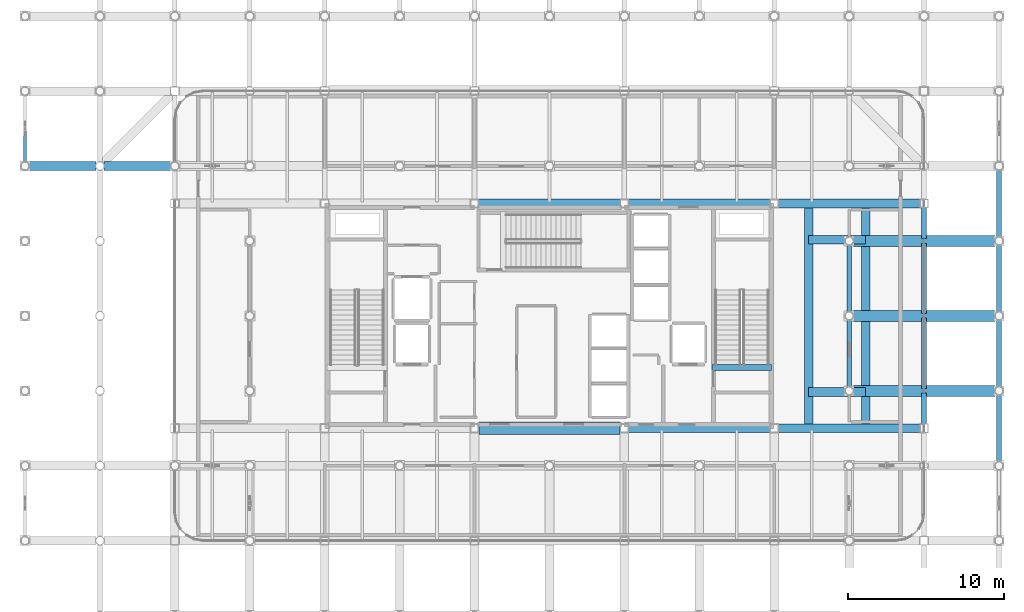
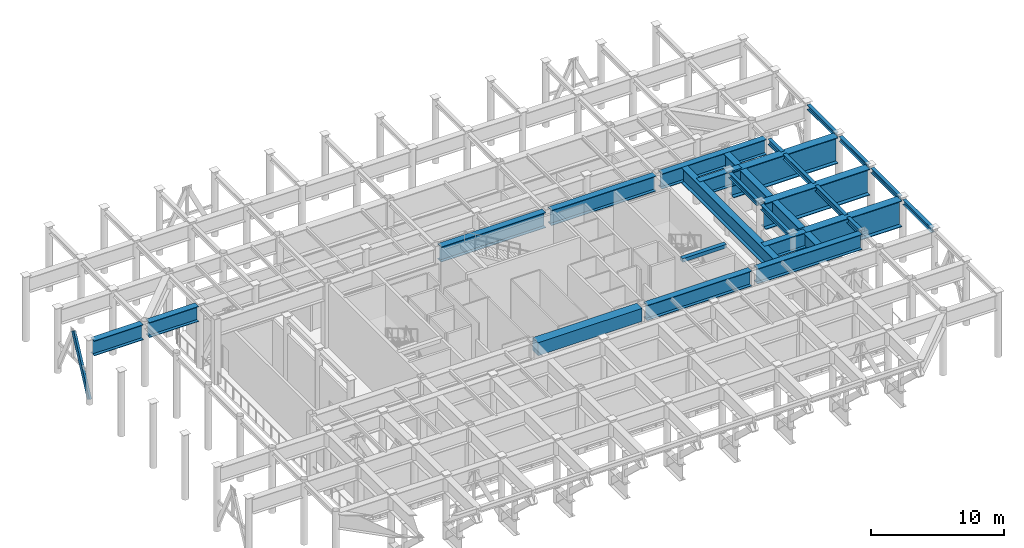
# One storey, part 7 of 20: 26 beams, 1 member.
"""IFC4 building model written with IfcOpenShell, lengths in metres."""

import ifcopenshell
import ifcopenshell.guid

model = None  # the IFC model being written
_history = None  # IfcOwnerHistory: only IFC2X3 demands one
_inside = {}  # id of a spatial element -> (the spatial element, [elements in it])
_under = {}  # id of a project, library or spatial element -> (it, [spatial elements below it])
_declared = {}  # id of a project -> (the project, [libraries it declares])
_typed = {}  # id of a type object -> (the type object, [elements of that type])
_made_of = {}  # id of a material, layer set ... -> (it, [elements and type objects made of it])


def new_model(schema):
    """Start an empty IFC model of exactly this schema.

    Asked for "IFC4X3", IfcOpenShell would pick the latest addendum, in which some entities
    have other attributes; the version numbers below select the first issue.
    IFC2X3 requires an IfcOwnerHistory on every rooted entity: one is made here for all.
    """
    global model, _history
    if schema == "IFC4X3":
        model = ifcopenshell.file(schema_version=(4, 3, 0, 0))
    else:
        model = ifcopenshell.file(schema=schema)
    _inside.clear()
    _under.clear()
    _declared.clear()
    _typed.clear()
    _made_of.clear()
    _history = None
    if model.schema == "IFC2X3":
        org = make("IfcOrganization", Name="unknown")
        user = make(
            "IfcPersonAndOrganization",
            ThePerson=make("IfcPerson", FamilyName="unknown"),
            TheOrganization=org,
        )
        app = make(
            "IfcApplication",
            ApplicationDeveloper=org,
            Version="unknown",
            ApplicationFullName="unknown",
            ApplicationIdentifier="unknown",
        )
        _history = make(
            "IfcOwnerHistory",
            OwningUser=user,
            OwningApplication=app,
            ChangeAction="ADDED",
            CreationDate=0,
        )
    return model


def make(cls, **values):
    """One entity of the class cls with the attributes given. An attribute that is None is left unset."""
    return model.create_entity(
        cls, **{name: value for name, value in values.items() if value is not None}
    )


def rooted(cls, **values):
    """An entity with a GlobalId (a new one), such as an element, a storey or a relation."""
    return make(cls, GlobalId=ifcopenshell.guid.new(), OwnerHistory=_history, **values)


def si_unit(unit_type, name, prefix=None):
    """IfcSIUnit, for example si_unit("LENGTHUNIT", "METRE", prefix="MILLI")."""
    return make("IfcSIUnit", UnitType=unit_type, Prefix=prefix, Name=name)


def assignment(units):
    """IfcUnitAssignment: the units of a project."""
    return None if units is None else make("IfcUnitAssignment", Units=units)


def point(xyz):
    """IfcCartesianPoint."""
    return None if xyz is None else make("IfcCartesianPoint", Coordinates=xyz)


def direction(xyz):
    """IfcDirection."""
    return None if xyz is None else make("IfcDirection", DirectionRatios=xyz)


def frame(location, z_axis=None, x_axis=None):
    """IfcAxis2Placement3D, a coordinate frame: its origin and axes. An axis left out is left unset."""
    return make(
        "IfcAxis2Placement3D",
        Location=point(location),
        Axis=direction(z_axis),
        RefDirection=direction(x_axis),
    )


def frame_2d(location, x_axis=None):
    """IfcAxis2Placement2D, a coordinate frame in the plane: its origin and x axis."""
    return make(
        "IfcAxis2Placement2D", Location=point(location), RefDirection=direction(x_axis)
    )


def origin():
    """The frame at (0, 0, 0) with its axes left unset."""
    return frame((0.0, 0.0, 0.0))


def origin_2d():
    """The frame at (0, 0) in the plane with its x axis left unset."""
    return frame_2d((0.0, 0.0))


def place(relative_to, where):
    """IfcLocalPlacement: puts the frame where relative to a parent placement (None: the world)."""
    return make(
        "IfcLocalPlacement", PlacementRelTo=relative_to, RelativePlacement=where
    )


def context(
    kind, dimensions, precision=None, world=None, true_north=None, identifier=None
):
    """IfcGeometricRepresentationContext, for example the 3D "Model" context."""
    return make(
        "IfcGeometricRepresentationContext",
        ContextIdentifier=identifier,
        ContextType=kind,
        CoordinateSpaceDimension=dimensions,
        Precision=precision,
        WorldCoordinateSystem=world,
        TrueNorth=true_north,
    )


def subcontext(parent, identifier, kind, view, scale=None):
    """IfcGeometricRepresentationSubContext, for example "Body" below "Model"."""
    return make(
        "IfcGeometricRepresentationSubContext",
        ContextIdentifier=identifier,
        ContextType=kind,
        ParentContext=parent,
        TargetScale=scale,
        TargetView=view,
    )


def project(units=None, contexts=None):
    """IfcProject with its units and contexts."""
    return rooted(
        "IfcProject",
        Name="project",
        RepresentationContexts=contexts,
        UnitsInContext=assignment(units),
    )


def spatial(cls, under=None, at=None, **own):
    """A site, building, storey or space (cls), placed at a placement, below another one or the project."""
    s = rooted(cls, ObjectPlacement=at, **own)
    if under is not None:
        _under.setdefault(under.id(), (under, []))[1].append(s)
    return s


def profile(cls, at=None, kind="AREA", **sizes):
    """A parametric profile (cls). Its sizes go by their IFC names, for example OverallWidth=200.0."""
    return make(cls, ProfileType=kind, Position=at, **sizes)


def rectangle(**sizes):
    """IfcRectangleProfileDef."""
    return profile("IfcRectangleProfileDef", **sizes)


def hollow_rectangle(**sizes):
    """IfcRectangleHollowProfileDef."""
    return profile("IfcRectangleHollowProfileDef", **sizes)


def i_section(**sizes):
    """IfcIShapeProfileDef."""
    return profile("IfcIShapeProfileDef", **sizes)


def extrude(swept, where, along, depth):
    """IfcExtrudedAreaSolid: the profile swept, set in the frame where, extruded along a direction by depth."""
    return make(
        "IfcExtrudedAreaSolid",
        SweptArea=swept,
        Position=where,
        ExtrudedDirection=direction(along),
        Depth=depth,
    )


def shape(context_of_items, identifier, shape_type, items):
    """IfcShapeRepresentation: the items that make up one representation, for example the "Body"."""
    return make(
        "IfcShapeRepresentation",
        ContextOfItems=context_of_items,
        RepresentationIdentifier=identifier,
        RepresentationType=shape_type,
        Items=items,
    )


def material(Name=None, Category=None):
    """IfcMaterial."""
    return make("IfcMaterial", Name=Name, Category=Category)


def material_profile(
    of_material, cross_section, Name=None, Category=None, Priority=None
):
    """IfcMaterialProfile: a cross section and its material."""
    return make(
        "IfcMaterialProfile",
        Name=Name,
        Material=of_material,
        Profile=cross_section,
        Priority=Priority,
        Category=Category,
    )


def profile_set(profiles, Name=None, composite=None):
    """IfcMaterialProfileSet."""
    return make(
        "IfcMaterialProfileSet",
        Name=Name,
        MaterialProfiles=profiles,
        CompositeProfile=composite,
    )


def made_of(thing, what):
    """Note that an element or type object is made of a material, layer set ...; save() writes the relation."""
    if what is not None:
        _made_of.setdefault(what.id(), (what, []))[1].append(thing)
    return thing


def type_object(cls, material=None, **own):
    """A type object (cls), such as IfcWallType, which elements share."""
    return made_of(rooted(cls, **own), material)


def element(
    cls,
    number,
    at=None,
    inside=None,
    cuts=None,
    type_object=None,
    material=None,
    context=None,
    identifier="Body",
    shape_type=None,
    held_by="IfcProductDefinitionShape",
    body=None,
    shapes=None,
    **own,
):
    """One element of the class cls, such as IfcWall. Its Tag is "e" and its number.

    at: its placement. inside: the storey or other place that contains it. cuts: it is an
    opening in that element (IfcRelVoidsElement). A single representation is given by context,
    identifier, shape_type and body (its items); several are given by shapes. held_by: the class
    of the entity that holds the representations. save() writes the other relations.
    """
    e = rooted(cls, Tag="e%d" % number, ObjectPlacement=at, **own)
    if body is not None:
        shapes = [shape(context, identifier, shape_type, body)]
    if shapes is not None:
        e.Representation = make(held_by, Representations=shapes)
    if inside is not None:
        _inside.setdefault(inside.id(), (inside, []))[1].append(e)
    if cuts is not None:
        rooted(
            "IfcRelVoidsElement", RelatingBuildingElement=cuts, RelatedOpeningElement=e
        )
    if type_object is not None:
        _typed.setdefault(type_object.id(), (type_object, []))[1].append(e)
    return made_of(e, material)


def aggregate(whole, parts):
    """IfcRelAggregates: a whole, such as a stair, and the parts it consists of."""
    return rooted("IfcRelAggregates", RelatingObject=whole, RelatedObjects=parts)


def save(model, path):
    """Write the relations noted so far, then the file.

    IfcRelAggregates (storeys below a building ...), IfcRelContainedInSpatialStructure (elements
    in a storey), IfcRelDefinesByType, IfcRelAssociatesMaterial and IfcRelDeclares: one each for
    every whole, place, type object, material and project.
    """
    for whole, parts in _under.values():
        aggregate(whole, parts)
    for where, things in _inside.values():
        rooted(
            "IfcRelContainedInSpatialStructure",
            RelatedElements=things,
            RelatingStructure=where,
        )
    for kind, things in _typed.values():
        rooted("IfcRelDefinesByType", RelatedObjects=things, RelatingType=kind)
    for what, things in _made_of.values():
        rooted("IfcRelAssociatesMaterial", RelatedObjects=things, RelatingMaterial=what)
    for by, libraries in _declared.values():
        rooted("IfcRelDeclares", RelatingContext=by, RelatedDefinitions=libraries)
    model.write(path)


model = new_model("IFC4")

# Units and contexts
model_context = context("Model", 3, precision=1e-05, world=origin(), true_north=direction((0.0, 1.0)))
body_context = subcontext(model_context, "Body", "Model", "MODEL_VIEW")
ifc_project = project(units=[si_unit("LENGTHUNIT", "METRE"), si_unit("AREAUNIT", "SQUARE_METRE"), si_unit("VOLUMEUNIT", "CUBIC_METRE"), si_unit("PLANEANGLEUNIT", "RADIAN"), si_unit("MASSUNIT", "GRAM", prefix="KILO")], contexts=[model_context])

# Site, building, storey
site_placement = place(None, origin())
site = spatial("IfcSite", under=ifc_project, at=site_placement, CompositionType="ELEMENT")
building_placement = place(site_placement, origin())
building = spatial("IfcBuilding", under=site, at=building_placement, Name="Kallvorn Hotel Tower", CompositionType="ELEMENT")
storey_placement = place(building_placement, frame((0.0, 0.0, 276.199951171875)))
storey = spatial("IfcBuildingStorey", under=building, at=storey_placement, Name="L69", CompositionType="ELEMENT", Elevation=276.199951171875)

# Beams
ifc_material_1 = material(Name="Structural steel S355JR", Category="steel")
ifc_material_profile_1 = material_profile(ifc_material_1, i_section(OverallWidth=0.300048828125, OverallDepth=0.43994140625, WebThickness=0.011474609375, FlangeThickness=0.02099609375, at=origin_2d()), Name="HE 450 A")
ifc_profile_set_1 = profile_set([ifc_material_profile_1], Name="Structural steel S355JR")
beam_type_1 = type_object("IfcBeamType", Name="BM_HE450A", PredefinedType="BEAM", material=ifc_profile_set_1)
for number, where, z_axis, x_axis, name in (
    (1, (19.199951171875, -4.54541015625, 5.580078125), (0.0, 1.0, 0.0), (-1.0, 0.0, 0.0), "L70 Primary Y-Girder 146"),
    (2, (19.199951171875, 0.25439453125, 5.580078125), (0.0, 1.0, 0.0), (-1.0, 0.0, 0.0), "L70 Primary Y-Girder 147"),
    (3, (28.800048828125, -9.345458984375, 5.580078125), (0.0, 1.0, 0.0), (-1.0, 0.0, 0.0), "L70 Primary Y-Girder 161"),
    (4, (28.800048828125, -4.54541015625, 5.580078125), (0.0, 1.0, 0.0), (-1.0, 0.0, 0.0), "L70 Primary Y-Girder 162"),
    (5, (28.800048828125, 0.25439453125, 5.580078125), (0.0, 1.0, 0.0), (-1.0, 0.0, 0.0), "L70 Primary Y-Girder 163"),
    (6, (28.800048828125, 5.054443359375, 5.580078125), (0.0, 1.0, 0.0), (-1.0, 0.0, 0.0), "L70 Primary Y-Girder 164"),
):
    element("IfcBeam", number, at=place(storey_placement, frame(where, z_axis=z_axis, x_axis=x_axis)), inside=storey, type_object=beam_type_1, Name=name, PredefinedType="BEAM", context=body_context, shape_type="SweptSolid", body=[
        extrude(i_section(OverallWidth=0.300048828125, OverallDepth=0.43994140625, WebThickness=0.011474609375, FlangeThickness=0.02099609375, at=origin_2d()), origin(), (0.0, 0.0, 1.0), 4.291015625),
    ])
ifc_material_2 = material(Name="Structural steel S355JR", Category="steel")
ifc_material_profile_2 = material_profile(ifc_material_2, i_section(OverallWidth=0.300048828125, OverallDepth=0.5, WebThickness=0.014404296875, FlangeThickness=0.028076171875, at=origin_2d()), Name="HE 500 B")
ifc_profile_set_2 = profile_set([ifc_material_profile_2], Name="Structural steel S355JR")
beam_type_2 = type_object("IfcBeamType", Name="BM_HE500B", PredefinedType="SPANDREL", material=ifc_profile_set_2)
beam_1_placement = place(storey_placement, frame((24.0, -6.93505859375, 5.550048828125), z_axis=(0.0, 1.0, 0.0), x_axis=(-1.0, 0.0, 0.0)))
element("IfcBeam", 7, at=beam_1_placement, inside=storey, type_object=beam_type_2, Name="L70 Perimeter Spandrel 194", PredefinedType="SPANDREL", context=body_context, shape_type="SweptSolid", body=[
    extrude(i_section(OverallWidth=0.300048828125, OverallDepth=0.5, WebThickness=0.014404296875, FlangeThickness=0.028076171875, at=origin_2d()), origin(), (0.0, 0.0, 1.0), 1.985107421875),
])
for number, where, z_axis, x_axis, name in (
    (8, (24.0, -4.64990234375, 5.550048828125), (0.0, 1.0, 0.0), (-1.0, 0.0, 0.0), "L70 Perimeter Spandrel 195"),
    (9, (24.0, 0.14990234375, 5.550048828125), (0.0, 1.0, 0.0), (-1.0, 0.0, 0.0), "L70 Perimeter Spandrel 196"),
):
    element("IfcBeam", number, at=place(storey_placement, frame(where, z_axis=z_axis, x_axis=x_axis)), inside=storey, type_object=beam_type_2, Name=name, PredefinedType="SPANDREL", context=body_context, shape_type="SweptSolid", body=[
        extrude(i_section(OverallWidth=0.300048828125, OverallDepth=0.5, WebThickness=0.014404296875, FlangeThickness=0.028076171875, at=origin_2d()), origin(), (0.0, 0.0, 1.0), 4.5),
    ])
beam_2_placement = place(storey_placement, frame((24.0, 4.949951171875, 5.550048828125), z_axis=(0.0, 1.0, 0.0), x_axis=(-1.0, 0.0, 0.0)))
element("IfcBeam", 10, at=beam_2_placement, inside=storey, type_object=beam_type_2, Name="L70 Perimeter Spandrel 197", PredefinedType="SPANDREL", context=body_context, shape_type="SweptSolid", body=[
    extrude(i_section(OverallWidth=0.300048828125, OverallDepth=0.5, WebThickness=0.014404296875, FlangeThickness=0.028076171875, at=origin_2d()), origin(), (0.0, 0.0, 1.0), 1.985107421875),
])
ifc_material_3 = material(Name="Structural steel S355JR", Category="steel")
ifc_material_profile_3 = material_profile(ifc_material_3, i_section(OverallWidth=0.550048828125, OverallDepth=1.39990234375, WebThickness=0.02490234375, FlangeThickness=0.044921875, at=origin_2d()), Name="PG 1400x550x25x45")
ifc_profile_set_3 = profile_set([ifc_material_profile_3], Name="Structural steel S355JR")
beam_type_3 = type_object("IfcBeamType", Name="BM_PG_1400", PredefinedType="BEAM", material=ifc_profile_set_3)
beam_3_placement = place(storey_placement, frame((5.050048828125, -7.199951171875, 5.10009765625), z_axis=(1.0, 0.0, 0.0), x_axis=(0.0, 1.0, 0.0)))
element("IfcBeam", 11, at=beam_3_placement, inside=storey, type_object=beam_type_3, Name="L70 Primary X-Girder 50", PredefinedType="BEAM", context=body_context, shape_type="SweptSolid", body=[
    extrude(i_section(OverallWidth=0.550048828125, OverallDepth=1.39990234375, WebThickness=0.02490234375, FlangeThickness=0.044921875, at=origin_2d()), origin(), (0.0, 0.0, 1.0), 9.099853515625),
])
for number, where, z_axis, x_axis, name in (
    (12, (14.64990234375, -7.199951171875, 5.10009765625), (1.0, 0.0, 0.0), (0.0, 1.0, 0.0), "L70 Primary X-Girder 51"),
    (13, (-4.550048828125, 7.199951171875, 5.10009765625), (1.0, 0.0, 0.0), (0.0, 1.0, 0.0), "L70 Primary X-Girder 54"),
):
    element("IfcBeam", number, at=place(storey_placement, frame(where, z_axis=z_axis, x_axis=x_axis)), inside=storey, type_object=beam_type_3, Name=name, PredefinedType="BEAM", context=body_context, shape_type="SweptSolid", body=[
        extrude(i_section(OverallWidth=0.550048828125, OverallDepth=1.39990234375, WebThickness=0.02490234375, FlangeThickness=0.044921875, at=origin_2d()), origin(), (0.0, 0.0, 1.0), 9.10009765625),
    ])
beam_4_placement = place(storey_placement, frame((5.050048828125, 7.199951171875, 5.10009765625), z_axis=(1.0, 0.0, 0.0), x_axis=(0.0, 1.0, 0.0)))
element("IfcBeam", 14, at=beam_4_placement, inside=storey, type_object=beam_type_3, Name="L70 Primary X-Girder 55", PredefinedType="BEAM", context=body_context, shape_type="SweptSolid", body=[
    extrude(i_section(OverallWidth=0.550048828125, OverallDepth=1.39990234375, WebThickness=0.02490234375, FlangeThickness=0.044921875, at=origin_2d()), origin(), (0.0, 0.0, 1.0), 9.099853515625),
])
beam_5_placement = place(storey_placement, frame((14.64990234375, 7.199951171875, 5.10009765625), z_axis=(1.0, 0.0, 0.0), x_axis=(0.0, 1.0, 0.0)))
element("IfcBeam", 15, at=beam_5_placement, inside=storey, type_object=beam_type_3, Name="L70 Primary X-Girder 56", PredefinedType="BEAM", context=body_context, shape_type="SweptSolid", body=[
    extrude(i_section(OverallWidth=0.550048828125, OverallDepth=1.39990234375, WebThickness=0.02490234375, FlangeThickness=0.044921875, at=origin_2d()), origin(), (0.0, 0.0, 1.0), 9.10009765625),
])
for number, where, z_axis, x_axis, name in (
    (16, (-33.345458984375, 9.60009765625, 5.10009765625), (1.0, 0.0, 0.0), (0.0, 1.0, 0.0), "L70 Primary X-Girder 57"),
    (17, (-28.54541015625, 9.60009765625, 5.10009765625), (1.0, 0.0, 0.0), (0.0, 1.0, 0.0), "L70 Primary X-Girder 58"),
):
    element("IfcBeam", number, at=place(storey_placement, frame(where, z_axis=z_axis, x_axis=x_axis)), inside=storey, type_object=beam_type_3, Name=name, PredefinedType="BEAM", context=body_context, shape_type="SweptSolid", body=[
        extrude(i_section(OverallWidth=0.550048828125, OverallDepth=1.39990234375, WebThickness=0.02490234375, FlangeThickness=0.044921875, at=origin_2d()), origin(), (0.0, 0.0, 1.0), 4.291015625),
    ])
for number, where, z_axis, x_axis, name in (
    (18, (16.60009765625, -7.050048828125, 5.10009765625), (0.0, 1.0, 0.0), (-1.0, 0.0, 0.0), "L70 Summit Stair ST4 Transfer Girder W"),
    (19, (20.260009765625, -7.050048828125, 5.10009765625), (0.0, 1.0, 0.0), (-1.0, 0.0, 0.0), "L70 Summit Stair ST4 Transfer Girder E"),
):
    element("IfcBeam", number, at=place(storey_placement, frame(where, z_axis=z_axis, x_axis=x_axis)), inside=storey, type_object=beam_type_3, Name=name, PredefinedType="BEAM", context=body_context, shape_type="SweptSolid", body=[
        extrude(i_section(OverallWidth=0.550048828125, OverallDepth=1.39990234375, WebThickness=0.02490234375, FlangeThickness=0.044921875, at=origin_2d()), origin(), (0.0, 0.0, 1.0), 14.10009765625),
    ])
for number, where, z_axis, x_axis, name in (
    (20, (16.60009765625, -4.8798828125, 5.10009765625), (1.0, 0.0, 0.0), (0.0, 1.0, 0.0), "L70 Summit Stair ST4 Transfer Girder S"),
    (21, (16.60009765625, 4.8798828125, 5.10009765625), (1.0, 0.0, 0.0), (0.0, 1.0, 0.0), "L70 Summit Stair ST4 Transfer Girder N"),
):
    element("IfcBeam", number, at=place(storey_placement, frame(where, z_axis=z_axis, x_axis=x_axis)), inside=storey, type_object=beam_type_3, Name=name, PredefinedType="BEAM", context=body_context, shape_type="SweptSolid", body=[
        extrude(i_section(OverallWidth=0.550048828125, OverallDepth=1.39990234375, WebThickness=0.02490234375, FlangeThickness=0.044921875, at=origin_2d()), origin(), (0.0, 0.0, 1.0), 3.659912109375),
    ])
ifc_material_4 = material(Name="Structural steel S355JR", Category="steel")
ifc_material_profile_4 = material_profile(ifc_material_4, i_section(OverallWidth=0.699951171875, OverallDepth=2.39990234375, WebThickness=0.031982421875, FlangeThickness=0.06005859375, at=origin_2d()), Name="PG 2400x700x32x60")
ifc_profile_set_4 = profile_set([ifc_material_profile_4], Name="Structural steel S355JR")
beam_type_4 = type_object("IfcBeamType", Name="BM_PG_2400", PredefinedType="BEAM", material=ifc_profile_set_4)
for number, where, z_axis, x_axis, name in (
    (22, (19.469482421875, -4.800048828125, 4.60009765625), (1.0, 0.0, 0.0), (0.0, 1.0, 0.0), "L70 Setback Transfer Girder 14"),
    (23, (19.469482421875, 0.0, 4.60009765625), (1.0, 0.0, 0.0), (0.0, 1.0, 0.0), "L70 Setback Transfer Girder 15"),
    (24, (19.469482421875, 4.800048828125, 4.60009765625), (1.0, 0.0, 0.0), (0.0, 1.0, 0.0), "L70 Setback Transfer Girder 16"),
):
    element("IfcBeam", number, at=place(storey_placement, frame(where, z_axis=z_axis, x_axis=x_axis)), inside=storey, type_object=beam_type_4, Name=name, PredefinedType="BEAM", context=body_context, shape_type="SweptSolid", body=[
        extrude(i_section(OverallWidth=0.699951171875, OverallDepth=2.39990234375, WebThickness=0.031982421875, FlangeThickness=0.06005859375, at=origin_2d()), origin(), (0.0, 0.0, 1.0), 9.06103515625),
    ])
ifc_material_5 = material(Name="Concrete C50/60", Category="concrete")
ifc_material_profile_5 = material_profile(ifc_material_5, rectangle(XDim=0.360107421875, YDim=0.340087890625, at=origin_2d()), Name="RC 360x340")
ifc_profile_set_5 = profile_set([ifc_material_profile_5], Name="Concrete C50/60")
beam_type_5 = type_object("IfcBeamType", Name="BM_RC_400x360", PredefinedType="BEAM", material=ifc_profile_set_5)
beam_6_placement = place(storey_placement, frame((14.239990234375, -3.31005859375, 5.630126953125), z_axis=(-1.0, 0.0, 0.0), x_axis=(0.0, -1.0, 0.0)))
element("IfcBeam", 25, at=beam_6_placement, inside=storey, type_object=beam_type_5, Name="L70 Stair ST2 Arrival Trimmer Beam", PredefinedType="BEAM", context=body_context, shape_type="SweptSolid", body=[
    extrude(rectangle(XDim=0.360107421875, YDim=0.340087890625, at=origin_2d()), origin(), (0.0, 0.0, 1.0), 3.820068359375),
])
ifc_material_6 = material(Name="Concrete C50/60", Category="concrete")
ifc_material_profile_6 = material_profile(ifc_material_6, rectangle(XDim=0.800048828125, YDim=1.199951171875, at=origin_2d()), Name="RC 800x1200")
ifc_profile_set_6 = profile_set([ifc_material_profile_6], Name="Concrete C50/60")
beam_type_6 = type_object("IfcBeamType", Name="BM_RC_800x1200", PredefinedType="T_BEAM", material=ifc_profile_set_6)
beam_7_placement = place(storey_placement, frame((-4.52490234375, -7.199951171875, 5.199951171875), z_axis=(1.0, 0.0, 0.0), x_axis=(0.0, 1.0, 0.0)))
element("IfcBeam", 26, at=beam_7_placement, inside=storey, type_object=beam_type_6, Name="L69 Core Coupling Beam South", PredefinedType="T_BEAM", context=body_context, shape_type="SweptSolid", body=[
    extrude(rectangle(XDim=0.800048828125, YDim=1.199951171875, at=origin_2d()), origin(), (0.0, 0.0, 1.0), 9.0498046875),
])

# Member
ifc_material_7 = material(Name="Structural steel S355J2H", Category="steel")
ifc_material_profile_7 = material_profile(ifc_material_7, hollow_rectangle(XDim=0.199951171875, YDim=0.39990234375, WallThickness=0.02001953125, at=origin_2d()), Name="RHS 400x200x20")
ifc_profile_set_7 = profile_set([ifc_material_profile_7], Name="Structural steel S355J2H")
member_type = type_object("IfcMemberType", Name="MBR_BELT_RHS400", PredefinedType="BRACE", material=ifc_profile_set_7)
member_placement = place(storey_placement, frame((-33.60009765625, 9.60888671875, 0.3681640625), z_axis=(0.0, 0.440591160242, 0.897707875378), x_axis=(-1.0, 0.0, 0.0)))
element("IfcMember", 27, at=member_placement, inside=storey, type_object=member_type, Name="L69 Belt Truss Diagonal 6A", PredefinedType="BRACE", context=body_context, shape_type="SweptSolid", body=[
    extrude(hollow_rectangle(XDim=0.199951171875, YDim=0.39990234375, WallThickness=0.02001953125, at=origin_2d()), origin(), (0.0, 0.0, 1.0), 5.4072265625),
])

save(model, "model.ifc")
